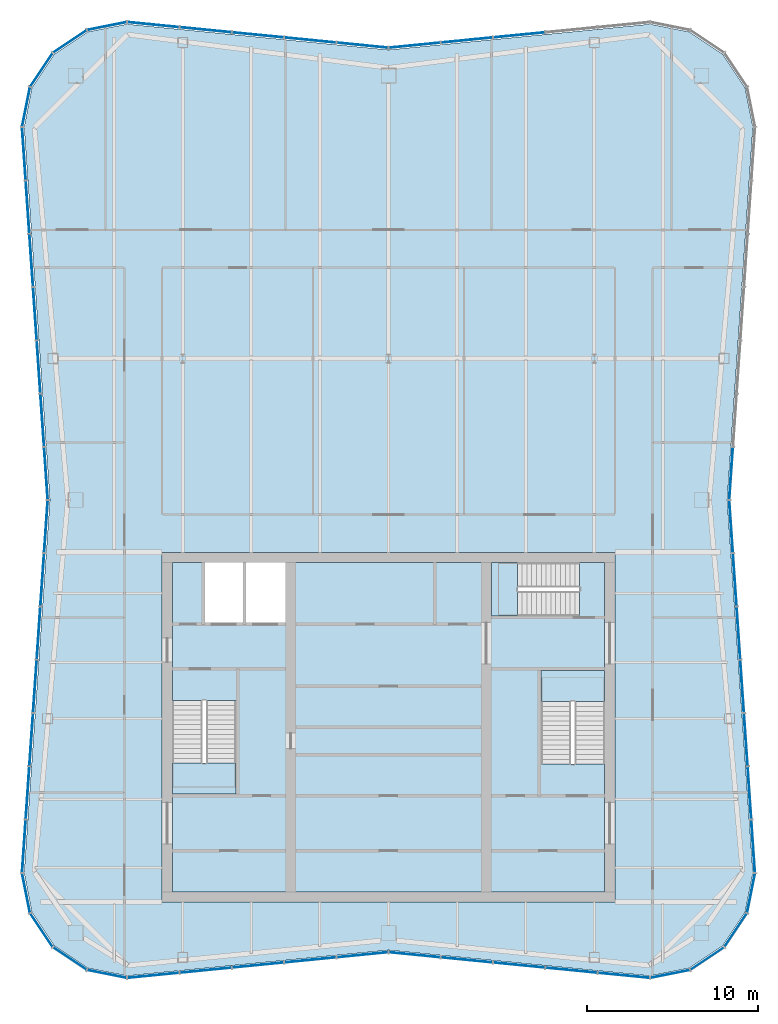
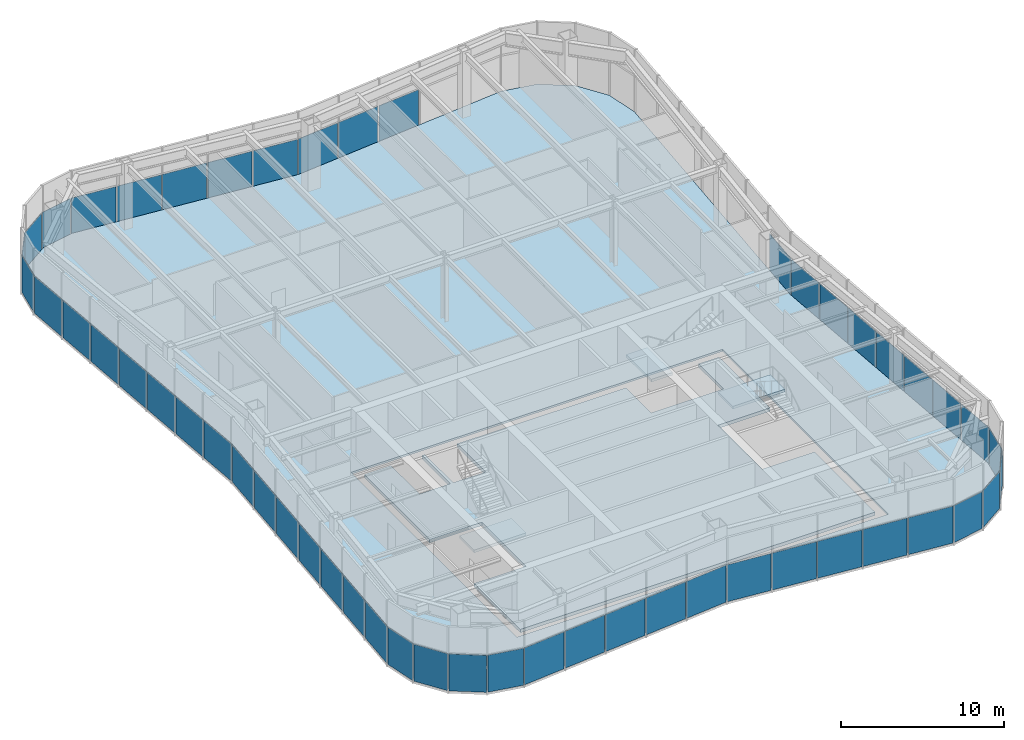
# One storey, part 8 of 13: 52 plates, 5 slabs, 10 elements without a shape of their own.
"""IFC4 building model written with IfcOpenShell, lengths in metres."""

from ifc_helpers import new_model, si_unit, direction, frame, origin, origin_2d, place, context, subcontext, project, spatial, polyline, rectangle, outline, extrude, material, layer, layer_set, type_object, element, aggregate, save


model = new_model("IFC4")

# Units and contexts
model_context = context("Model", 3, precision=1e-05, world=origin(), true_north=direction((0.0, 1.0)))
body_context = subcontext(model_context, "Body", "Model", "MODEL_VIEW")
ifc_project = project(units=[si_unit("LENGTHUNIT", "METRE"), si_unit("AREAUNIT", "SQUARE_METRE"), si_unit("VOLUMEUNIT", "CUBIC_METRE"), si_unit("PLANEANGLEUNIT", "RADIAN"), si_unit("MASSUNIT", "GRAM", prefix="KILO")], contexts=[model_context])

# Site, building, storey
site_placement = place(None, origin())
site = spatial("IfcSite", under=ifc_project, at=site_placement, CompositionType="ELEMENT")
building_placement = place(site_placement, origin())
building = spatial("IfcBuilding", under=site, at=building_placement, Name="Verdant Reach Tower", CompositionType="ELEMENT")
storey_placement = place(building_placement, frame((0.0, 0.0, 354.5)))
storey = spatial("IfcBuildingStorey", under=building, at=storey_placement, Name="L80 Plant", CompositionType="ELEMENT", Elevation=354.5)

# Stair, slab
ifc_material_1 = material(Name="Concrete C40/50", Category="concrete")
stair_type = type_object("IfcStairType", Name="CO-STAIR", PredefinedType="HALF_TURN_STAIR", material=ifc_material_1)
stair_1_placement = place(storey_placement, origin())
stair_1 = element("IfcStair", 1, at=stair_1_placement, inside=storey, type_object=stair_type, Name="L80 Plant Exit stair 1", PredefinedType="HALF_TURN_STAIR")
ifc_layer_1 = layer(ifc_material_1, 0.199951171875)
ifc_layer_set_1 = layer_set([ifc_layer_1], Name="CO-STAIR-LANDING")
slab_type_1 = type_object("IfcSlabType", Name="CO-STAIR-LANDING", PredefinedType="LANDING", material=ifc_layer_set_1)
slab_1_placement = place(storey_placement, frame((0.0, 0.0, 2.300048828125)))
slab_1 = element("IfcSlab", 2, at=slab_1_placement, type_object=slab_type_1, Name="ST-1 landing 1", PredefinedType="LANDING", context=body_context, shape_type="SweptSolid", body=[
    extrude(outline(polyline([(-12.60009765625, 25.909912109375), (-12.60009765625, 24.10009765625), (-8.89990234375, 24.10009765625), (-8.89990234375, 25.909912109375), (-12.60009765625, 25.909912109375)])), origin(), (0.0, 0.0, 1.0), 0.199951171875),
])
aggregate(stair_1, [slab_1])

stair_2_placement = place(storey_placement, origin())
stair_2 = element("IfcStair", 3, at=stair_2_placement, inside=storey, type_object=stair_type, Name="L80 Plant Exit stair 2", PredefinedType="HALF_TURN_STAIR")
slab_2_placement = place(storey_placement, frame((0.0, 0.0, 2.300048828125)))
slab_2 = element("IfcSlab", 4, at=slab_2_placement, type_object=slab_type_1, Name="ST-2 landing 1", PredefinedType="LANDING", context=body_context, shape_type="SweptSolid", body=[
    extrude(outline(polyline([(12.60009765625, 29.489990234375), (12.60009765625, 31.300048828125), (8.89990234375, 31.300048828125), (8.89990234375, 29.489990234375), (12.60009765625, 29.489990234375)])), origin(), (0.0, 0.0, 1.0), 0.199951171875),
])
aggregate(stair_2, [slab_2])

stair_3_placement = place(storey_placement, origin())
stair_3 = element("IfcStair", 5, at=stair_3_placement, inside=storey, type_object=stair_type, Name="L80 Plant Exit stair 3", PredefinedType="HALF_TURN_STAIR")
slab_3_placement = place(storey_placement, frame((0.0, 0.0, 2.300048828125)))
slab_3 = element("IfcSlab", 6, at=slab_3_placement, type_object=slab_type_1, Name="ST-3 landing 1", PredefinedType="LANDING", context=body_context, shape_type="SweptSolid", body=[
    extrude(outline(polyline([(7.510009765625, 37.60009765625), (6.0, 37.60009765625), (6.0, 34.5), (7.510009765625, 34.5), (7.510009765625, 37.60009765625)])), origin(), (0.0, 0.0, 1.0), 0.199951171875),
])
aggregate(stair_3, [slab_3])

# Curtain wall, plates
ifc_material_2 = material(Name="Anodised aluminium", Category="aluminium")
curtain_wall_type = type_object("IfcCurtainWallType", Name="EN-CW SYSTEM PLANT", PredefinedType="NOTDEFINED", material=ifc_material_2)
curtain_wall_1_placement = place(storey_placement, origin())
curtain_wall_1 = element("IfcCurtainWall", 7, at=curtain_wall_1_placement, inside=storey, type_object=curtain_wall_type, Name="Curtain wall south-east corner, L80", PredefinedType="NOTDEFINED")
ifc_material_3 = material(Name="Bronze anodised aluminium solid panel", Category="aluminium")
ifc_layer_2 = layer(ifc_material_3, 0.0400390625)
ifc_layer_set_2 = layer_set([ifc_layer_2], Name="EN-PANEL SOLID")
plate_type = type_object("IfcPlateType", Name="EN-PANEL SOLID", PredefinedType="CURTAIN_PANEL", material=ifc_layer_set_2)
plate_1_placement = place(storey_placement, frame((16.423828125, 13.614013671875, -0.199951171875), z_axis=(0.0, 0.0, 1.0), x_axis=(0.980705120874, 0.195492879387, 0.0)))
plate_1 = element("IfcPlate", 8, at=plate_1_placement, type_object=plate_type, Name="Solid panel south-east corner 1.1, L80", PredefinedType="CURTAIN_PANEL", context=body_context, shape_type="SweptSolid", body=[
    extrude(rectangle(XDim=2.3056640625, YDim=0.0400390625, at=origin_2d()), origin(), (0.0, 0.0, 1.0), 2.77490234375),
])
plate_2_placement = place(storey_placement, frame((18.584228515625, 14.510009765625, -0.199951171875), z_axis=(0.0, 0.0, 1.0), x_axis=(0.83145208321, 0.555596466265, 0.0)))
plate_2 = element("IfcPlate", 9, at=plate_2_placement, type_object=plate_type, Name="Solid panel south-east corner 2.1, L80", PredefinedType="CURTAIN_PANEL", context=body_context, shape_type="SweptSolid", body=[
    extrude(rectangle(XDim=2.3115234375, YDim=0.0400390625, at=origin_2d()), origin(), (0.0, 0.0, 1.0), 2.77490234375),
])
plate_3_placement = place(storey_placement, frame((20.239990234375, 16.165771484375, -0.199951171875), z_axis=(0.0, 0.0, 1.0), x_axis=(0.555596466265, 0.83145208321, 0.0)))
plate_3 = element("IfcPlate", 10, at=plate_3_placement, type_object=plate_type, Name="Solid panel south-east corner 3.1, L80", PredefinedType="CURTAIN_PANEL", context=body_context, shape_type="SweptSolid", body=[
    extrude(rectangle(XDim=2.3115234375, YDim=0.0400390625, at=origin_2d()), origin(), (0.0, 0.0, 1.0), 2.77490234375),
])
plate_4_placement = place(storey_placement, frame((21.135986328125, 18.325439453125, -0.199951171875), z_axis=(0.0, 0.0, 1.0), x_axis=(0.195592962334, 0.980685165119, 0.0)))
plate_4 = element("IfcPlate", 11, at=plate_4_placement, type_object=plate_type, Name="Solid panel south-east corner 4.1, L80", PredefinedType="CURTAIN_PANEL", context=body_context, shape_type="SweptSolid", body=[
    extrude(rectangle(XDim=2.303955078125, YDim=0.0400390625, at=origin_2d()), origin(), (0.0, 0.0, 1.0), 2.77490234375),
])
aggregate(curtain_wall_1, [plate_1, plate_2, plate_3, plate_4])

curtain_wall_2_placement = place(storey_placement, origin())
curtain_wall_2 = element("IfcCurtainWall", 12, at=curtain_wall_2_placement, inside=storey, type_object=curtain_wall_type, Name="Curtain wall east, L80", PredefinedType="NOTDEFINED")
plate_5_placement = place(storey_placement, frame((21.261474609375, 21.053955078125, -0.199951171875), z_axis=(0.0, 0.0, 1.0), x_axis=(-0.068469163133, 0.997653233193, 0.0)))
plate_5 = element("IfcPlate", 13, at=plate_5_placement, type_object=plate_type, Name="Solid panel east face part 1 1.1, L80", PredefinedType="CURTAIN_PANEL", context=body_context, shape_type="SweptSolid", body=[
    extrude(rectangle(XDim=3.05419921875, YDim=0.0400390625, at=origin_2d()), origin(), (0.0, 0.0, 1.0), 2.77490234375),
])
plate_6_placement = place(storey_placement, frame((21.04736328125, 24.1689453125, -0.199951171875), z_axis=(0.0, 0.0, 1.0), x_axis=(-0.068802091615, 0.997630328423, 0.0)))
plate_6 = element("IfcPlate", 14, at=plate_6_placement, type_object=plate_type, Name="Solid panel east face part 1 2.1, L80", PredefinedType="CURTAIN_PANEL", context=body_context, shape_type="SweptSolid", body=[
    extrude(rectangle(XDim=3.03857421875, YDim=0.0400390625, at=origin_2d()), origin(), (0.0, 0.0, 1.0), 2.77490234375),
])
plate_7_placement = place(storey_placement, frame((20.8330078125, 27.276123046875, -0.199951171875), z_axis=(0.0, 0.0, 1.0), x_axis=(-0.068802091615, 0.997630328423, 0.0)))
plate_7 = element("IfcPlate", 15, at=plate_7_placement, type_object=plate_type, Name="Solid panel east face part 1 3.1, L80", PredefinedType="CURTAIN_PANEL", context=body_context, shape_type="SweptSolid", body=[
    extrude(rectangle(XDim=3.03857421875, YDim=0.0400390625, at=origin_2d()), origin(), (0.0, 0.0, 1.0), 2.77490234375),
])
plate_8_placement = place(storey_placement, frame((20.61865234375, 30.38330078125, -0.199951171875), z_axis=(0.0, 0.0, 1.0), x_axis=(-0.068802091615, 0.997630328423, 0.0)))
plate_8 = element("IfcPlate", 16, at=plate_8_placement, type_object=plate_type, Name="Solid panel east face part 1 4.1, L80", PredefinedType="CURTAIN_PANEL", context=body_context, shape_type="SweptSolid", body=[
    extrude(rectangle(XDim=3.03857421875, YDim=0.0400390625, at=origin_2d()), origin(), (0.0, 0.0, 1.0), 2.77490234375),
])
plate_9_placement = place(storey_placement, frame((20.404541015625, 33.490234375, -0.199951171875), z_axis=(0.0, 0.0, 1.0), x_axis=(-0.068802091615, 0.997630328423, 0.0)))
plate_9 = element("IfcPlate", 17, at=plate_9_placement, type_object=plate_type, Name="Solid panel east face part 1 5.1, L80", PredefinedType="CURTAIN_PANEL", context=body_context, shape_type="SweptSolid", body=[
    extrude(rectangle(XDim=3.03857421875, YDim=0.0400390625, at=origin_2d()), origin(), (0.0, 0.0, 1.0), 2.77490234375),
])
plate_10_placement = place(storey_placement, frame((20.190185546875, 36.597412109375, -0.199951171875), z_axis=(0.0, 0.0, 1.0), x_axis=(-0.068802091615, 0.997630328423, 0.0)))
plate_10 = element("IfcPlate", 18, at=plate_10_placement, type_object=plate_type, Name="Solid panel east face part 1 6.1, L80", PredefinedType="CURTAIN_PANEL", context=body_context, shape_type="SweptSolid", body=[
    extrude(rectangle(XDim=3.03857421875, YDim=0.0400390625, at=origin_2d()), origin(), (0.0, 0.0, 1.0), 2.77490234375),
])
plate_11_placement = place(storey_placement, frame((19.97607421875, 39.700439453125, -0.199951171875), z_axis=(0.0, 0.0, 1.0), x_axis=(-0.068892655483, 0.997624078509, 0.0)))
plate_11 = element("IfcPlate", 19, at=plate_11_placement, type_object=plate_type, Name="Solid panel east face part 1 7.1, L80", PredefinedType="CURTAIN_PANEL", context=body_context, shape_type="SweptSolid", body=[
    extrude(rectangle(XDim=3.0302734375, YDim=0.0400390625, at=origin_2d()), origin(), (0.0, 0.0, 1.0), 2.77490234375),
])
plate_12_placement = place(storey_placement, frame((19.97607421875, 42.799560546875, -0.199951171875), z_axis=(0.0, 0.0, 1.0), x_axis=(0.068892655483, 0.997624078509, 0.0)))
plate_12 = element("IfcPlate", 20, at=plate_12_placement, type_object=plate_type, Name="Solid panel east face part 2 1.1, L80", PredefinedType="CURTAIN_PANEL", context=body_context, shape_type="SweptSolid", body=[
    extrude(rectangle(XDim=3.0302734375, YDim=0.0400390625, at=origin_2d()), origin(), (0.0, 0.0, 1.0), 2.77490234375),
])
aggregate(curtain_wall_2, [plate_5, plate_6, plate_7, plate_8, plate_9, plate_10, plate_11, plate_12])

curtain_wall_3_placement = place(storey_placement, origin())
curtain_wall_3 = element("IfcCurtainWall", 21, at=curtain_wall_3_placement, inside=storey, type_object=curtain_wall_type, Name="Curtain wall north, L80", PredefinedType="NOTDEFINED")
plate_13_placement = place(storey_placement, frame((7.61328125, 68.368408203125, -0.199951171875), z_axis=(0.0, 0.0, 1.0), x_axis=(-0.995197410875, -0.09788826992, 0.0)))
plate_13 = element("IfcPlate", 22, at=plate_13_placement, type_object=plate_type, Name="Solid panel north face part 1 3.1, L80", PredefinedType="CURTAIN_PANEL", context=body_context, shape_type="SweptSolid", body=[
    extrude(rectangle(XDim=2.98876953125, YDim=0.0400390625, at=origin_2d()), origin(), (0.0, 0.0, 1.0), 2.77490234375),
])
plate_14_placement = place(storey_placement, frame((4.563232421875, 68.068359375, -0.199951171875), z_axis=(0.0, 0.0, 1.0), x_axis=(-0.995197410875, -0.09788826992, 0.0)))
plate_14 = element("IfcPlate", 23, at=plate_14_placement, type_object=plate_type, Name="Solid panel north face part 1 4.1, L80", PredefinedType="CURTAIN_PANEL", context=body_context, shape_type="SweptSolid", body=[
    extrude(rectangle(XDim=2.98876953125, YDim=0.0400390625, at=origin_2d()), origin(), (0.0, 0.0, 1.0), 2.77490234375),
])
plate_15_placement = place(storey_placement, frame((1.519287109375, 67.768798828125, -0.199951171875), z_axis=(0.0, 0.0, 1.0), x_axis=(-0.995179069607, -0.098074560493, 0.0)))
plate_15 = element("IfcPlate", 24, at=plate_15_placement, type_object=plate_type, Name="Solid panel north face part 1 5.1, L80", PredefinedType="CURTAIN_PANEL", context=body_context, shape_type="SweptSolid", body=[
    extrude(rectangle(XDim=2.97705078125, YDim=0.0400390625, at=origin_2d()), origin(), (0.0, 0.0, 1.0), 2.77490234375),
])
plate_16_placement = place(storey_placement, frame((-1.519287109375, 67.768798828125, -0.199951171875), z_axis=(0.0, 0.0, 1.0), x_axis=(-0.995179069607, 0.098074560493, 0.0)))
plate_16 = element("IfcPlate", 25, at=plate_16_placement, type_object=plate_type, Name="Solid panel north face part 2 1.1, L80", PredefinedType="CURTAIN_PANEL", context=body_context, shape_type="SweptSolid", body=[
    extrude(rectangle(XDim=2.97705078125, YDim=0.0400390625, at=origin_2d()), origin(), (0.0, 0.0, 1.0), 2.77490234375),
])
plate_17_placement = place(storey_placement, frame((-4.563232421875, 68.068359375, -0.199951171875), z_axis=(0.0, 0.0, 1.0), x_axis=(-0.995197410875, 0.09788826992, 0.0)))
plate_17 = element("IfcPlate", 26, at=plate_17_placement, type_object=plate_type, Name="Solid panel north face part 2 2.1, L80", PredefinedType="CURTAIN_PANEL", context=body_context, shape_type="SweptSolid", body=[
    extrude(rectangle(XDim=2.98876953125, YDim=0.0400390625, at=origin_2d()), origin(), (0.0, 0.0, 1.0), 2.77490234375),
])
plate_18_placement = place(storey_placement, frame((-7.61328125, 68.368408203125, -0.199951171875), z_axis=(0.0, 0.0, 1.0), x_axis=(-0.995197410875, 0.09788826992, 0.0)))
plate_18 = element("IfcPlate", 27, at=plate_18_placement, type_object=plate_type, Name="Solid panel north face part 2 3.1, L80", PredefinedType="CURTAIN_PANEL", context=body_context, shape_type="SweptSolid", body=[
    extrude(rectangle(XDim=2.98876953125, YDim=0.0400390625, at=origin_2d()), origin(), (0.0, 0.0, 1.0), 2.77490234375),
])
plate_19_placement = place(storey_placement, frame((-10.663330078125, 68.66845703125, -0.199951171875), z_axis=(0.0, 0.0, 1.0), x_axis=(-0.995197410875, 0.09788826992, 0.0)))
plate_19 = element("IfcPlate", 28, at=plate_19_placement, type_object=plate_type, Name="Solid panel north face part 2 4.1, L80", PredefinedType="CURTAIN_PANEL", context=body_context, shape_type="SweptSolid", body=[
    extrude(rectangle(XDim=2.98876953125, YDim=0.0400390625, at=origin_2d()), origin(), (0.0, 0.0, 1.0), 2.77490234375),
])
plate_20_placement = place(storey_placement, frame((-13.72216796875, 68.96875, -0.199951171875), z_axis=(0.0, 0.0, 1.0), x_axis=(-0.995238191716, 0.097472774402, 0.0)))
plate_20 = element("IfcPlate", 29, at=plate_20_placement, type_object=plate_type, Name="Solid panel north face part 2 5.1, L80", PredefinedType="CURTAIN_PANEL", context=body_context, shape_type="SweptSolid", body=[
    extrude(rectangle(XDim=3.006103515625, YDim=0.0400390625, at=origin_2d()), origin(), (0.0, 0.0, 1.0), 2.77490234375),
])
aggregate(curtain_wall_3, [plate_13, plate_14, plate_15, plate_16, plate_17, plate_18, plate_19, plate_20])

curtain_wall_4_placement = place(storey_placement, origin())
curtain_wall_4 = element("IfcCurtainWall", 30, at=curtain_wall_4_placement, inside=storey, type_object=curtain_wall_type, Name="Curtain wall north-west corner, L80", PredefinedType="NOTDEFINED")
plate_21_placement = place(storey_placement, frame((-16.423828125, 68.885986328125, -0.199951171875), z_axis=(0.0, 0.0, 1.0), x_axis=(-0.980705120874, -0.195492879387, 0.0)))
plate_21 = element("IfcPlate", 31, at=plate_21_placement, type_object=plate_type, Name="Solid panel north-west corner 1.1, L80", PredefinedType="CURTAIN_PANEL", context=body_context, shape_type="SweptSolid", body=[
    extrude(rectangle(XDim=2.3056640625, YDim=0.0400390625, at=origin_2d()), origin(), (0.0, 0.0, 1.0), 2.77490234375),
])
plate_22_placement = place(storey_placement, frame((-18.584228515625, 67.989990234375, -0.199951171875), z_axis=(0.0, 0.0, 1.0), x_axis=(-0.83145208321, -0.555596466265, 0.0)))
plate_22 = element("IfcPlate", 32, at=plate_22_placement, type_object=plate_type, Name="Solid panel north-west corner 2.1, L80", PredefinedType="CURTAIN_PANEL", context=body_context, shape_type="SweptSolid", body=[
    extrude(rectangle(XDim=2.3115234375, YDim=0.0400390625, at=origin_2d()), origin(), (0.0, 0.0, 1.0), 2.77490234375),
])
plate_23_placement = place(storey_placement, frame((-20.239990234375, 66.334228515625, -0.199951171875), z_axis=(0.0, 0.0, 1.0), x_axis=(-0.555596466265, -0.83145208321, 0.0)))
plate_23 = element("IfcPlate", 33, at=plate_23_placement, type_object=plate_type, Name="Solid panel north-west corner 3.1, L80", PredefinedType="CURTAIN_PANEL", context=body_context, shape_type="SweptSolid", body=[
    extrude(rectangle(XDim=2.3115234375, YDim=0.0400390625, at=origin_2d()), origin(), (0.0, 0.0, 1.0), 2.77490234375),
])
plate_24_placement = place(storey_placement, frame((-21.135986328125, 64.174560546875, -0.199951171875), z_axis=(0.0, 0.0, 1.0), x_axis=(-0.195592962334, -0.980685165119, 0.0)))
plate_24 = element("IfcPlate", 34, at=plate_24_placement, type_object=plate_type, Name="Solid panel north-west corner 4.1, L80", PredefinedType="CURTAIN_PANEL", context=body_context, shape_type="SweptSolid", body=[
    extrude(rectangle(XDim=2.303955078125, YDim=0.0400390625, at=origin_2d()), origin(), (0.0, 0.0, 1.0), 2.77490234375),
])
aggregate(curtain_wall_4, [plate_21, plate_22, plate_23, plate_24])

curtain_wall_5_placement = place(storey_placement, origin())
curtain_wall_5 = element("IfcCurtainWall", 35, at=curtain_wall_5_placement, inside=storey, type_object=curtain_wall_type, Name="Curtain wall west, L80", PredefinedType="NOTDEFINED")
plate_25_placement = place(storey_placement, frame((-21.261474609375, 61.446044921875, -0.199951171875), z_axis=(0.0, 0.0, 1.0), x_axis=(0.068469163133, -0.997653233193, 0.0)))
plate_25 = element("IfcPlate", 36, at=plate_25_placement, type_object=plate_type, Name="Solid panel west face part 1 1.1, L80", PredefinedType="CURTAIN_PANEL", context=body_context, shape_type="SweptSolid", body=[
    extrude(rectangle(XDim=3.05419921875, YDim=0.0400390625, at=origin_2d()), origin(), (0.0, 0.0, 1.0), 2.77490234375),
])
plate_26_placement = place(storey_placement, frame((-21.04736328125, 58.3310546875, -0.199951171875), z_axis=(0.0, 0.0, 1.0), x_axis=(0.068802091615, -0.997630328423, 0.0)))
plate_26 = element("IfcPlate", 37, at=plate_26_placement, type_object=plate_type, Name="Solid panel west face part 1 2.1, L80", PredefinedType="CURTAIN_PANEL", context=body_context, shape_type="SweptSolid", body=[
    extrude(rectangle(XDim=3.03857421875, YDim=0.0400390625, at=origin_2d()), origin(), (0.0, 0.0, 1.0), 2.77490234375),
])
plate_27_placement = place(storey_placement, frame((-20.8330078125, 55.223876953125, -0.199951171875), z_axis=(0.0, 0.0, 1.0), x_axis=(0.068802091615, -0.997630328423, 0.0)))
plate_27 = element("IfcPlate", 38, at=plate_27_placement, type_object=plate_type, Name="Solid panel west face part 1 3.1, L80", PredefinedType="CURTAIN_PANEL", context=body_context, shape_type="SweptSolid", body=[
    extrude(rectangle(XDim=3.03857421875, YDim=0.0400390625, at=origin_2d()), origin(), (0.0, 0.0, 1.0), 2.77490234375),
])
plate_28_placement = place(storey_placement, frame((-20.61865234375, 52.11669921875, -0.199951171875), z_axis=(0.0, 0.0, 1.0), x_axis=(0.068802091615, -0.997630328423, 0.0)))
plate_28 = element("IfcPlate", 39, at=plate_28_placement, type_object=plate_type, Name="Solid panel west face part 1 4.1, L80", PredefinedType="CURTAIN_PANEL", context=body_context, shape_type="SweptSolid", body=[
    extrude(rectangle(XDim=3.03857421875, YDim=0.0400390625, at=origin_2d()), origin(), (0.0, 0.0, 1.0), 2.77490234375),
])
plate_29_placement = place(storey_placement, frame((-20.404541015625, 49.009765625, -0.199951171875), z_axis=(0.0, 0.0, 1.0), x_axis=(0.068802091615, -0.997630328423, 0.0)))
plate_29 = element("IfcPlate", 40, at=plate_29_placement, type_object=plate_type, Name="Solid panel west face part 1 5.1, L80", PredefinedType="CURTAIN_PANEL", context=body_context, shape_type="SweptSolid", body=[
    extrude(rectangle(XDim=3.03857421875, YDim=0.0400390625, at=origin_2d()), origin(), (0.0, 0.0, 1.0), 2.77490234375),
])
plate_30_placement = place(storey_placement, frame((-20.190185546875, 45.902587890625, -0.199951171875), z_axis=(0.0, 0.0, 1.0), x_axis=(0.068802091615, -0.997630328423, 0.0)))
plate_30 = element("IfcPlate", 41, at=plate_30_placement, type_object=plate_type, Name="Solid panel west face part 1 6.1, L80", PredefinedType="CURTAIN_PANEL", context=body_context, shape_type="SweptSolid", body=[
    extrude(rectangle(XDim=3.03857421875, YDim=0.0400390625, at=origin_2d()), origin(), (0.0, 0.0, 1.0), 2.77490234375),
])
plate_31_placement = place(storey_placement, frame((-19.97607421875, 42.799560546875, -0.199951171875), z_axis=(0.0, 0.0, 1.0), x_axis=(0.068892655483, -0.997624078509, 0.0)))
plate_31 = element("IfcPlate", 42, at=plate_31_placement, type_object=plate_type, Name="Solid panel west face part 1 7.1, L80", PredefinedType="CURTAIN_PANEL", context=body_context, shape_type="SweptSolid", body=[
    extrude(rectangle(XDim=3.0302734375, YDim=0.0400390625, at=origin_2d()), origin(), (0.0, 0.0, 1.0), 2.77490234375),
])
plate_32_placement = place(storey_placement, frame((-19.97607421875, 39.700439453125, -0.199951171875), z_axis=(0.0, 0.0, 1.0), x_axis=(-0.068892655483, -0.997624078509, 0.0)))
plate_32 = element("IfcPlate", 43, at=plate_32_placement, type_object=plate_type, Name="Solid panel west face part 2 1.1, L80", PredefinedType="CURTAIN_PANEL", context=body_context, shape_type="SweptSolid", body=[
    extrude(rectangle(XDim=3.0302734375, YDim=0.0400390625, at=origin_2d()), origin(), (0.0, 0.0, 1.0), 2.77490234375),
])
plate_33_placement = place(storey_placement, frame((-20.190185546875, 36.597412109375, -0.199951171875), z_axis=(0.0, 0.0, 1.0), x_axis=(-0.068802091615, -0.997630328423, 0.0)))
plate_33 = element("IfcPlate", 44, at=plate_33_placement, type_object=plate_type, Name="Solid panel west face part 2 2.1, L80", PredefinedType="CURTAIN_PANEL", context=body_context, shape_type="SweptSolid", body=[
    extrude(rectangle(XDim=3.03857421875, YDim=0.0400390625, at=origin_2d()), origin(), (0.0, 0.0, 1.0), 2.77490234375),
])
plate_34_placement = place(storey_placement, frame((-20.404541015625, 33.490234375, -0.199951171875), z_axis=(0.0, 0.0, 1.0), x_axis=(-0.068802091615, -0.997630328423, 0.0)))
plate_34 = element("IfcPlate", 45, at=plate_34_placement, type_object=plate_type, Name="Solid panel west face part 2 3.1, L80", PredefinedType="CURTAIN_PANEL", context=body_context, shape_type="SweptSolid", body=[
    extrude(rectangle(XDim=3.03857421875, YDim=0.0400390625, at=origin_2d()), origin(), (0.0, 0.0, 1.0), 2.77490234375),
])
plate_35_placement = place(storey_placement, frame((-20.61865234375, 30.38330078125, -0.199951171875), z_axis=(0.0, 0.0, 1.0), x_axis=(-0.068802091615, -0.997630328423, 0.0)))
plate_35 = element("IfcPlate", 46, at=plate_35_placement, type_object=plate_type, Name="Solid panel west face part 2 4.1, L80", PredefinedType="CURTAIN_PANEL", context=body_context, shape_type="SweptSolid", body=[
    extrude(rectangle(XDim=3.03857421875, YDim=0.0400390625, at=origin_2d()), origin(), (0.0, 0.0, 1.0), 2.77490234375),
])
plate_36_placement = place(storey_placement, frame((-20.8330078125, 27.276123046875, -0.199951171875), z_axis=(0.0, 0.0, 1.0), x_axis=(-0.068802091615, -0.997630328423, 0.0)))
plate_36 = element("IfcPlate", 47, at=plate_36_placement, type_object=plate_type, Name="Solid panel west face part 2 5.1, L80", PredefinedType="CURTAIN_PANEL", context=body_context, shape_type="SweptSolid", body=[
    extrude(rectangle(XDim=3.03857421875, YDim=0.0400390625, at=origin_2d()), origin(), (0.0, 0.0, 1.0), 2.77490234375),
])
plate_37_placement = place(storey_placement, frame((-21.04736328125, 24.1689453125, -0.199951171875), z_axis=(0.0, 0.0, 1.0), x_axis=(-0.068802091615, -0.997630328423, 0.0)))
plate_37 = element("IfcPlate", 48, at=plate_37_placement, type_object=plate_type, Name="Solid panel west face part 2 6.1, L80", PredefinedType="CURTAIN_PANEL", context=body_context, shape_type="SweptSolid", body=[
    extrude(rectangle(XDim=3.03857421875, YDim=0.0400390625, at=origin_2d()), origin(), (0.0, 0.0, 1.0), 2.77490234375),
])
plate_38_placement = place(storey_placement, frame((-21.261474609375, 21.053955078125, -0.199951171875), z_axis=(0.0, 0.0, 1.0), x_axis=(-0.068469163133, -0.997653233193, 0.0)))
plate_38 = element("IfcPlate", 49, at=plate_38_placement, type_object=plate_type, Name="Solid panel west face part 2 7.1, L80", PredefinedType="CURTAIN_PANEL", context=body_context, shape_type="SweptSolid", body=[
    extrude(rectangle(XDim=3.05419921875, YDim=0.0400390625, at=origin_2d()), origin(), (0.0, 0.0, 1.0), 2.77490234375),
])
aggregate(curtain_wall_5, [plate_25, plate_26, plate_27, plate_28, plate_29, plate_30, plate_31, plate_32, plate_33, plate_34, plate_35, plate_36, plate_37, plate_38])

curtain_wall_6_placement = place(storey_placement, origin())
curtain_wall_6 = element("IfcCurtainWall", 50, at=curtain_wall_6_placement, inside=storey, type_object=curtain_wall_type, Name="Curtain wall south-west corner, L80", PredefinedType="NOTDEFINED")
plate_39_placement = place(storey_placement, frame((-21.135986328125, 18.325439453125, -0.199951171875), z_axis=(0.0, 0.0, 1.0), x_axis=(0.195592962334, -0.980685165119, 0.0)))
plate_39 = element("IfcPlate", 51, at=plate_39_placement, type_object=plate_type, Name="Solid panel south-west corner 1.1, L80", PredefinedType="CURTAIN_PANEL", context=body_context, shape_type="SweptSolid", body=[
    extrude(rectangle(XDim=2.303955078125, YDim=0.0400390625, at=origin_2d()), origin(), (0.0, 0.0, 1.0), 2.77490234375),
])
plate_40_placement = place(storey_placement, frame((-20.239990234375, 16.165771484375, -0.199951171875), z_axis=(0.0, 0.0, 1.0), x_axis=(0.555596466265, -0.83145208321, 0.0)))
plate_40 = element("IfcPlate", 52, at=plate_40_placement, type_object=plate_type, Name="Solid panel south-west corner 2.1, L80", PredefinedType="CURTAIN_PANEL", context=body_context, shape_type="SweptSolid", body=[
    extrude(rectangle(XDim=2.3115234375, YDim=0.0400390625, at=origin_2d()), origin(), (0.0, 0.0, 1.0), 2.77490234375),
])
plate_41_placement = place(storey_placement, frame((-18.584228515625, 14.510009765625, -0.199951171875), z_axis=(0.0, 0.0, 1.0), x_axis=(0.83145208321, -0.555596466265, 0.0)))
plate_41 = element("IfcPlate", 53, at=plate_41_placement, type_object=plate_type, Name="Solid panel south-west corner 3.1, L80", PredefinedType="CURTAIN_PANEL", context=body_context, shape_type="SweptSolid", body=[
    extrude(rectangle(XDim=2.3115234375, YDim=0.0400390625, at=origin_2d()), origin(), (0.0, 0.0, 1.0), 2.77490234375),
])
plate_42_placement = place(storey_placement, frame((-16.423828125, 13.614013671875, -0.199951171875), z_axis=(0.0, 0.0, 1.0), x_axis=(0.980705120874, -0.195492879387, 0.0)))
plate_42 = element("IfcPlate", 54, at=plate_42_placement, type_object=plate_type, Name="Solid panel south-west corner 4.1, L80", PredefinedType="CURTAIN_PANEL", context=body_context, shape_type="SweptSolid", body=[
    extrude(rectangle(XDim=2.3056640625, YDim=0.0400390625, at=origin_2d()), origin(), (0.0, 0.0, 1.0), 2.77490234375),
])
aggregate(curtain_wall_6, [plate_39, plate_40, plate_41, plate_42])

curtain_wall_7_placement = place(storey_placement, origin())
curtain_wall_7 = element("IfcCurtainWall", 55, at=curtain_wall_7_placement, inside=storey, type_object=curtain_wall_type, Name="Curtain wall south, L80", PredefinedType="NOTDEFINED")
plate_43_placement = place(storey_placement, frame((-13.72216796875, 13.53125, -0.199951171875), z_axis=(0.0, 0.0, 1.0), x_axis=(0.995238191716, 0.097472774402, 0.0)))
plate_43 = element("IfcPlate", 56, at=plate_43_placement, type_object=plate_type, Name="Solid panel south face part 1 1.1, L80", PredefinedType="CURTAIN_PANEL", context=body_context, shape_type="SweptSolid", body=[
    extrude(rectangle(XDim=3.006103515625, YDim=0.0400390625, at=origin_2d()), origin(), (0.0, 0.0, 1.0), 2.77490234375),
])
plate_44_placement = place(storey_placement, frame((-10.663330078125, 13.83154296875, -0.199951171875), z_axis=(0.0, 0.0, 1.0), x_axis=(0.995197410875, 0.09788826992, 0.0)))
plate_44 = element("IfcPlate", 57, at=plate_44_placement, type_object=plate_type, Name="Solid panel south face part 1 2.1, L80", PredefinedType="CURTAIN_PANEL", context=body_context, shape_type="SweptSolid", body=[
    extrude(rectangle(XDim=2.98876953125, YDim=0.0400390625, at=origin_2d()), origin(), (0.0, 0.0, 1.0), 2.77490234375),
])
plate_45_placement = place(storey_placement, frame((-7.61328125, 14.131591796875, -0.199951171875), z_axis=(0.0, 0.0, 1.0), x_axis=(0.995197410875, 0.09788826992, 0.0)))
plate_45 = element("IfcPlate", 58, at=plate_45_placement, type_object=plate_type, Name="Solid panel south face part 1 3.1, L80", PredefinedType="CURTAIN_PANEL", context=body_context, shape_type="SweptSolid", body=[
    extrude(rectangle(XDim=2.98876953125, YDim=0.0400390625, at=origin_2d()), origin(), (0.0, 0.0, 1.0), 2.77490234375),
])
plate_46_placement = place(storey_placement, frame((-4.563232421875, 14.431640625, -0.199951171875), z_axis=(0.0, 0.0, 1.0), x_axis=(0.995197410875, 0.09788826992, 0.0)))
plate_46 = element("IfcPlate", 59, at=plate_46_placement, type_object=plate_type, Name="Solid panel south face part 1 4.1, L80", PredefinedType="CURTAIN_PANEL", context=body_context, shape_type="SweptSolid", body=[
    extrude(rectangle(XDim=2.98876953125, YDim=0.0400390625, at=origin_2d()), origin(), (0.0, 0.0, 1.0), 2.77490234375),
])
plate_47_placement = place(storey_placement, frame((-1.519287109375, 14.731201171875, -0.199951171875), z_axis=(0.0, 0.0, 1.0), x_axis=(0.995179069607, 0.098074560493, 0.0)))
plate_47 = element("IfcPlate", 60, at=plate_47_placement, type_object=plate_type, Name="Solid panel south face part 1 5.1, L80", PredefinedType="CURTAIN_PANEL", context=body_context, shape_type="SweptSolid", body=[
    extrude(rectangle(XDim=2.97705078125, YDim=0.0400390625, at=origin_2d()), origin(), (0.0, 0.0, 1.0), 2.77490234375),
])
plate_48_placement = place(storey_placement, frame((1.519287109375, 14.731201171875, -0.199951171875), z_axis=(0.0, 0.0, 1.0), x_axis=(0.995179069607, -0.098074560493, 0.0)))
plate_48 = element("IfcPlate", 61, at=plate_48_placement, type_object=plate_type, Name="Solid panel south face part 2 1.1, L80", PredefinedType="CURTAIN_PANEL", context=body_context, shape_type="SweptSolid", body=[
    extrude(rectangle(XDim=2.97705078125, YDim=0.0400390625, at=origin_2d()), origin(), (0.0, 0.0, 1.0), 2.77490234375),
])
plate_49_placement = place(storey_placement, frame((4.563232421875, 14.431640625, -0.199951171875), z_axis=(0.0, 0.0, 1.0), x_axis=(0.995197410875, -0.09788826992, 0.0)))
plate_49 = element("IfcPlate", 62, at=plate_49_placement, type_object=plate_type, Name="Solid panel south face part 2 2.1, L80", PredefinedType="CURTAIN_PANEL", context=body_context, shape_type="SweptSolid", body=[
    extrude(rectangle(XDim=2.98876953125, YDim=0.0400390625, at=origin_2d()), origin(), (0.0, 0.0, 1.0), 2.77490234375),
])
plate_50_placement = place(storey_placement, frame((7.61328125, 14.131591796875, -0.199951171875), z_axis=(0.0, 0.0, 1.0), x_axis=(0.995197410875, -0.09788826992, 0.0)))
plate_50 = element("IfcPlate", 63, at=plate_50_placement, type_object=plate_type, Name="Solid panel south face part 2 3.1, L80", PredefinedType="CURTAIN_PANEL", context=body_context, shape_type="SweptSolid", body=[
    extrude(rectangle(XDim=2.98876953125, YDim=0.0400390625, at=origin_2d()), origin(), (0.0, 0.0, 1.0), 2.77490234375),
])
plate_51_placement = place(storey_placement, frame((10.663330078125, 13.83154296875, -0.199951171875), z_axis=(0.0, 0.0, 1.0), x_axis=(0.995197410875, -0.09788826992, 0.0)))
plate_51 = element("IfcPlate", 64, at=plate_51_placement, type_object=plate_type, Name="Solid panel south face part 2 4.1, L80", PredefinedType="CURTAIN_PANEL", context=body_context, shape_type="SweptSolid", body=[
    extrude(rectangle(XDim=2.98876953125, YDim=0.0400390625, at=origin_2d()), origin(), (0.0, 0.0, 1.0), 2.77490234375),
])
plate_52_placement = place(storey_placement, frame((13.72216796875, 13.53125, -0.199951171875), z_axis=(0.0, 0.0, 1.0), x_axis=(0.995238191716, -0.097472774402, 0.0)))
plate_52 = element("IfcPlate", 65, at=plate_52_placement, type_object=plate_type, Name="Solid panel south face part 2 5.1, L80", PredefinedType="CURTAIN_PANEL", context=body_context, shape_type="SweptSolid", body=[
    extrude(rectangle(XDim=3.006103515625, YDim=0.0400390625, at=origin_2d()), origin(), (0.0, 0.0, 1.0), 2.77490234375),
])
aggregate(curtain_wall_7, [plate_43, plate_44, plate_45, plate_46, plate_47, plate_48, plate_49, plate_50, plate_51, plate_52])

# Slabs
ifc_material_4 = material(Name="Concrete C35/45", Category="concrete")
ifc_layer_3 = layer(ifc_material_4, 0.14990234375)
ifc_layer_set_3 = layer_set([ifc_layer_3], Name="ST-SLAB-150")
slab_type_2 = type_object("IfcSlabType", Name="ST-SLAB-150", PredefinedType="FLOOR", material=ifc_layer_set_3)
slab_4_placement = place(storey_placement, frame((0.0, 0.0, -0.14990234375)))
element("IfcSlab", 66, at=slab_4_placement, inside=storey, type_object=slab_type_2, Name="Floor slab L80 Plant", PredefinedType="FLOOR", context=body_context, shape_type="SweptSolid", body=[
    extrude(outline(polyline([(0.0, 15.0), (-15.25, 13.5), (-17.546142578125, 13.956787109375), (-19.49267578125, 15.25732421875), (-20.793212890625, 17.203857421875), (-21.25, 19.5), (-19.75, 41.25), (-21.25, 63.0), (-20.793212890625, 65.296142578125), (-19.49267578125, 67.24267578125), (-17.546142578125, 68.543212890625), (-15.25, 69.0), (0.0, 67.5), (15.25, 69.0), (17.546142578125, 68.543212890625), (19.49267578125, 67.24267578125), (20.793212890625, 65.296142578125), (21.25, 63.0), (19.75, 41.25), (21.25, 19.5), (20.793212890625, 17.203857421875), (19.49267578125, 15.25732421875), (17.546142578125, 13.956787109375), (15.25, 13.5), (0.0, 15.0)]), holes=[polyline([(13.199951171875, 38.199951171875), (-13.199951171875, 38.199951171875), (-13.199951171875, 17.800048828125), (13.199951171875, 17.800048828125), (13.199951171875, 38.199951171875)])]), origin(), (0.0, 0.0, 1.0), 0.14990234375),
])
ifc_layer_4 = layer(ifc_material_4, 0.25)
ifc_layer_set_4 = layer_set([ifc_layer_4], Name="ST-SLAB-250")
slab_type_3 = type_object("IfcSlabType", Name="ST-SLAB-250", PredefinedType="FLOOR", material=ifc_layer_set_4)
slab_5_placement = place(storey_placement, frame((0.0, 0.0, -0.25)))
element("IfcSlab", 67, at=slab_5_placement, inside=storey, type_object=slab_type_3, Name="Core floor slab L80 Plant", PredefinedType="FLOOR", context=body_context, shape_type="SweptSolid", body=[
    extrude(outline(polyline([(12.60009765625, 18.39990234375), (-12.60009765625, 18.39990234375), (-12.60009765625, 24.10009765625), (-8.89990234375, 24.10009765625), (-8.89990234375, 29.548095703125), (-12.60009765625, 29.548095703125), (-12.60009765625, 37.60009765625), (-10.699951171875, 37.60009765625), (-10.699951171875, 34.10009765625), (-8.5, 34.10009765625), (-8.5, 37.60009765625), (-8.300048828125, 37.60009765625), (-8.300048828125, 34.10009765625), (-6.0, 34.10009765625), (-6.0, 37.60009765625), (6.0, 37.60009765625), (6.0, 34.5), (11.14794921875, 34.5), (11.14794921875, 37.60009765625), (12.60009765625, 37.60009765625), (12.60009765625, 31.300048828125), (8.89990234375, 31.300048828125), (8.89990234375, 25.85205078125), (12.60009765625, 25.85205078125), (12.60009765625, 18.39990234375)])), origin(), (0.0, 0.0, 1.0), 0.25),
])

save(model, "model.ifc")
